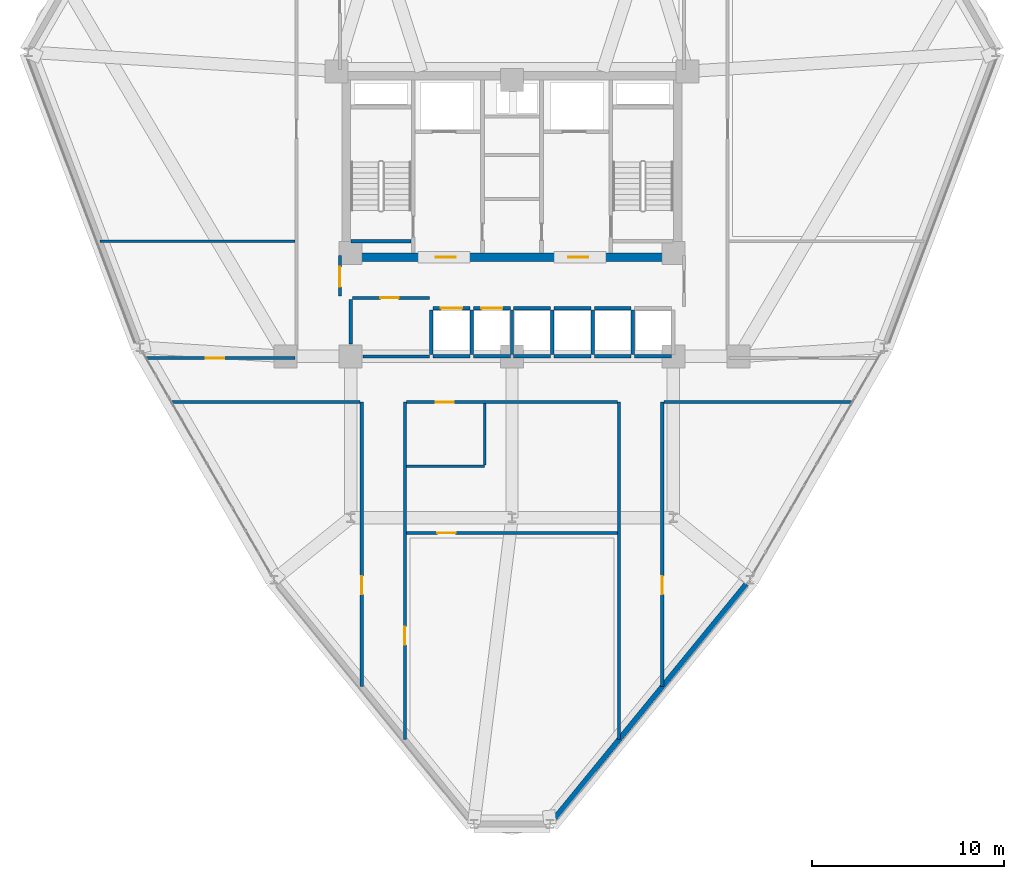
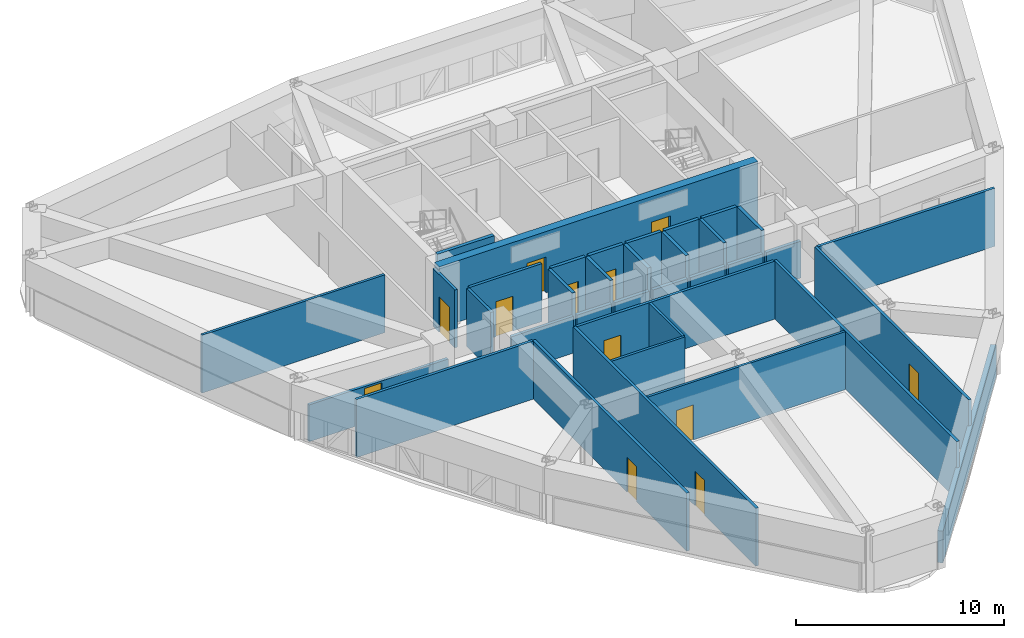
# One storey, part 10 of 15: 36 walls, 12 doors, 12 openings.
"""IFC4 building model written with IfcOpenShell, lengths in metres."""

from ifc_helpers import new_model, si_unit, derived_unit, direction, frame, frame_2d, origin, place, context, subcontext, project, spatial, rectangle, extrude, material, layer, layer_set, type_object, element, fill, save


model = new_model("IFC4")

# Units and contexts
model_context = context("Model", 3, precision=1e-05, world=origin(), true_north=direction((0.0, 1.0)))
body_context = subcontext(model_context, "Body", "Model", "MODEL_VIEW")
ifc_project = project(units=[si_unit("LENGTHUNIT", "METRE"), si_unit("AREAUNIT", "SQUARE_METRE"), si_unit("VOLUMEUNIT", "CUBIC_METRE"), si_unit("PLANEANGLEUNIT", "RADIAN"), si_unit("MASSUNIT", "GRAM", prefix="KILO"), derived_unit("THERMALTRANSMITTANCEUNIT", [(si_unit("POWERUNIT", "WATT"), 1), (si_unit("LENGTHUNIT", "METRE"), -2), (si_unit("THERMODYNAMICTEMPERATUREUNIT", "KELVIN"), -1)])], contexts=[model_context])

# Site, building, storey
site_placement = place(None, origin())
site = spatial("IfcSite", under=ifc_project, at=site_placement, CompositionType="ELEMENT")
building_placement = place(site_placement, origin())
building = spatial("IfcBuilding", under=site, at=building_placement, Name="Korsvarv Bourse and Concert Hall", CompositionType="ELEMENT")
storey_placement = place(building_placement, frame((0.0, 0.0, 117.0)))
storey = spatial("IfcBuildingStorey", under=building, at=storey_placement, Name="L29", CompositionType="ELEMENT", Elevation=117.0)

# Wall
ifc_material_1 = material(Name="Concrete C50/60", Category="concrete")
ifc_layer_1 = layer(ifc_material_1, 0.3798828125)
ifc_layer_set_1 = layer_set([ifc_layer_1], Name="Concrete C50/60")
wall_type_1 = type_object("IfcWallType", Name="WL-CORE-380", PredefinedType="SHEAR", material=ifc_layer_set_1)
wall_1_placement = place(storey_placement, frame((27.610107421875, 38.39990234375, 0.0), z_axis=(0.0, 0.0, 1.0), x_axis=(1.0, 0.0, 0.0)))
element("IfcWall", 1, at=wall_1_placement, inside=storey, type_object=wall_type_1, Name="L29 stair shaft structural wall W-L29-ST1-S", PredefinedType="SHEAR", context=body_context, shape_type="SweptSolid", body=[
    extrude(rectangle(XDim=3.139892578125, YDim=0.199951171875, at=frame_2d((1.56982421875, 0.0))), origin(), (0.0, 0.0, 1.0), 3.60009765625),
])

# Wall, openings, doors
ifc_material_2 = material(Name="Concrete C55/67", Category="concrete")
ifc_layer_2 = layer(ifc_material_2, 0.449951171875)
ifc_layer_set_2 = layer_set([ifc_layer_2], Name="Concrete C55/67")
wall_type_2 = type_object("IfcWallType", Name="WL-CORE-450", PredefinedType="SHEAR", material=ifc_layer_set_2)
wall_2_placement = place(storey_placement, frame((27.14990234375, 37.574951171875, 0.0), z_axis=(0.0, 0.0, 1.0), x_axis=(1.0, 0.0, 0.0)))
wall_2 = element("IfcWall", 2, at=wall_2_placement, inside=storey, type_object=wall_type_2, Name="L29 South Core Shear Wall", PredefinedType="SHEAR", context=body_context, shape_type="SweptSolid", body=[
    extrude(rectangle(XDim=17.7001953125, YDim=0.449951171875, at=frame_2d((8.85009765625, 0.0))), origin(), (0.0, 0.0, 1.0), 3.60009765625),
])
opening_1_placement = place(wall_2_placement, frame((4.875, 0.0, 0.0)))
opening_1 = element("IfcOpeningElement", 3, at=opening_1_placement, cuts=wall_2, Name="Opening D-01", PredefinedType="OPENING", context=body_context, shape_type="SweptSolid", body=[
    extrude(rectangle(XDim=1.050048828125, YDim=2.10009765625, at=frame_2d((0.52490234375, 1.050048828125))), frame((0.0, 0.23486328125, 0.0), z_axis=(0.0, -1.0, 0.0), x_axis=(1.0, 0.0, 0.0)), (0.0, 0.0, 1.0), 0.469970703125),
])
opening_2_placement = place(wall_2_placement, frame((11.77490234375, 0.0, 0.0)))
opening_2 = element("IfcOpeningElement", 4, at=opening_2_placement, cuts=wall_2, Name="Opening D-01", PredefinedType="OPENING", context=body_context, shape_type="SweptSolid", body=[
    extrude(rectangle(XDim=1.050048828125, YDim=2.10009765625, at=frame_2d((0.52490234375, 1.050048828125))), frame((0.0, 0.23486328125, 0.0), z_axis=(0.0, -1.0, 0.0), x_axis=(1.0, 0.0, 0.0)), (0.0, 0.0, 1.0), 0.469970703125),
])
ifc_material_3 = material(Name="Steel S355 fire door", Category="steel")
door_type_1 = type_object("IfcDoorType", Name="DR-FD60", OperationType="NOTDEFINED", PredefinedType="DOOR", material=ifc_material_3)
door_1_placement = place(opening_1_placement, frame((1.050048828125, 0.0, 0.0), z_axis=(0.0, 0.0, 1.0), x_axis=(-1.0, 0.0, 0.0)))
door_1 = element("IfcDoor", 5, at=door_1_placement, inside=storey, type_object=door_type_1, Name="L29 firefighting lobby fire door DR-L29-FFLW", OperationType="SINGLE_SWING_RIGHT", OverallHeight=2.10009765625, OverallWidth=1.050048828125, PredefinedType="DOOR", context=body_context, shape_type="SweptSolid", body=[
    extrude(rectangle(XDim=1.050048828125, YDim=2.10009765625, at=frame_2d((0.52490234375, 1.050048828125))), frame((0.0, 0.02490234375, 0.0), z_axis=(0.0, -1.0, 0.0), x_axis=(1.0, 0.0, 0.0)), (0.0, 0.0, 1.0), 0.050048828125),
])
fill(opening_1, door_1)
door_2_placement = place(opening_2_placement, frame((1.050048828125, 0.0, 0.0), z_axis=(0.0, 0.0, 1.0), x_axis=(-1.0, 0.0, 0.0)))
door_2 = element("IfcDoor", 6, at=door_2_placement, inside=storey, type_object=door_type_1, Name="L29 firefighting lobby fire door DR-L29-FFLE", OperationType="SINGLE_SWING_LEFT", OverallHeight=2.10009765625, OverallWidth=1.050048828125, PredefinedType="DOOR", context=body_context, shape_type="SweptSolid", body=[
    extrude(rectangle(XDim=1.050048828125, YDim=2.10009765625, at=frame_2d((0.52490234375, 1.050048828125))), frame((0.0, 0.02490234375, 0.0), z_axis=(0.0, -1.0, 0.0), x_axis=(1.0, 0.0, 0.0)), (0.0, 0.0, 1.0), 0.050048828125),
])
fill(opening_2, door_2)

# Walls
ifc_material_4 = material(Name="Precast concrete C45/55 with fluted terracotta pier", Category="concrete")
ifc_layer_3 = layer(ifc_material_4, 0.280029296875)
ifc_layer_set_3 = layer_set([ifc_layer_3], Name="Precast concrete C45/55 with fluted terracotta pier")
wall_type_3 = type_object("IfcWallType", Name="WL-EXT-TC2", PredefinedType="SOLIDWALL", material=ifc_layer_set_3)
wall_3_placement = place(storey_placement, frame((38.177490234375, 8.287353515625, 0.0), z_axis=(0.0, 0.0, 1.0), x_axis=(0.633140387555, 0.774036982092, 0.0)))
element("IfcWall", 7, at=wall_3_placement, inside=storey, type_object=wall_type_3, Name="L29 terracotta exterior wall EW-L29-B10", PredefinedType="SOLIDWALL", context=body_context, shape_type="SweptSolid", body=[
    extrude(rectangle(XDim=15.833984375, YDim=0.280029296875, at=frame_2d((7.9169921875, 0.0))), origin(), (0.0, 0.0, 1.0), 1.8701171875),
])
ifc_material_5 = material(Name="Double-stud fire-rated acoustic partition", Category="gypsum")
ifc_layer_4 = layer(ifc_material_5, 0.159912109375)
ifc_layer_set_4 = layer_set([ifc_layer_4], Name="Double-stud fire-rated acoustic partition")
wall_type_4 = type_object("IfcWallType", Name="WL-INT-EI60", PredefinedType="PARTITIONING", material=ifc_layer_set_4)
wall_4_placement = place(storey_placement, frame((28.25, 32.39990234375, 0.0), z_axis=(0.0, 0.0, 1.0), x_axis=(1.0, 0.0, 0.0)))
element("IfcWall", 8, at=wall_4_placement, inside=storey, type_object=wall_type_4, Name="L29 interior partition wall W-L29-FRD-S", PredefinedType="PARTITIONING", context=body_context, shape_type="SweptSolid", body=[
    extrude(rectangle(XDim=3.449951171875, YDim=0.159912109375, at=frame_2d((1.72509765625, 0.0))), origin(), (0.0, 0.0, 1.0), 2.159912109375),
])
wall_5_placement = place(storey_placement, frame((27.60009765625, 33.050048828125, 0.0), z_axis=(0.0, 0.0, 1.0), x_axis=(0.0, 1.0, 0.0)))
element("IfcWall", 9, at=wall_5_placement, inside=storey, type_object=wall_type_4, Name="L29 interior partition wall W-L29-FRD-W", PredefinedType="PARTITIONING", context=body_context, shape_type="SweptSolid", body=[
    extrude(rectangle(XDim=2.31005859375, YDim=0.159912109375, at=frame_2d((1.155029296875, 0.0))), origin(), (0.0, 0.0, 1.0), 3.39990234375),
])

# Wall, opening, door
wall_6_placement = place(storey_placement, frame((27.68994140625, 35.449951171875, 0.0), z_axis=(0.0, 0.0, 1.0), x_axis=(1.0, 0.0, 0.0)))
wall_6 = element("IfcWall", 10, at=wall_6_placement, inside=storey, type_object=wall_type_4, Name="L29 interior partition wall W-L29-FRD-N", PredefinedType="PARTITIONING", context=body_context, shape_type="SweptSolid", body=[
    extrude(rectangle(XDim=4.010009765625, YDim=0.159912109375, at=frame_2d((2.0048828125, 0.0))), origin(), (0.0, 0.0, 1.0), 3.39990234375),
])
opening_3_placement = place(wall_6_placement, frame((1.449951171875, 0.0, 0.0)))
opening_3 = element("IfcOpeningElement", 11, at=opening_3_placement, cuts=wall_6, Name="Opening D-03", PredefinedType="OPENING", context=body_context, shape_type="SweptSolid", body=[
    extrude(rectangle(XDim=0.949951171875, YDim=2.050048828125, at=frame_2d((0.47509765625, 1.02490234375))), frame((0.0, 0.08984375, 0.0), z_axis=(0.0, -1.0, 0.0), x_axis=(1.0, 0.0, 0.0)), (0.0, 0.0, 1.0), 0.179931640625),
])
ifc_material_6 = material(Name="Nordic oak acoustic office door", Category="wood")
door_type_2 = type_object("IfcDoorType", Name="DR-INT-1", OperationType="NOTDEFINED", PredefinedType="DOOR", material=ifc_material_6)
door_3_placement = place(opening_3_placement, origin())
door_3 = element("IfcDoor", 12, at=door_3_placement, inside=storey, type_object=door_type_2, Name="L29 interior door DR-L29-FRDN1", OperationType="SINGLE_SWING_LEFT", OverallHeight=2.050048828125, OverallWidth=0.949951171875, PredefinedType="DOOR", context=body_context, shape_type="SweptSolid", body=[
    extrude(rectangle(XDim=0.949951171875, YDim=2.050048828125, at=frame_2d((0.47509765625, 1.02490234375))), frame((0.0, 0.02490234375, 0.0), z_axis=(0.0, -1.0, 0.0), x_axis=(1.0, 0.0, 0.0)), (0.0, 0.0, 1.0), 0.050048828125),
])
fill(opening_3, door_3)

wall_7_placement = place(storey_placement, frame((27.0400390625, 35.5400390625, 0.0), z_axis=(0.0, 0.0, 1.0), x_axis=(0.0, 1.0, 0.0)))
wall_7 = element("IfcWall", 13, at=wall_7_placement, inside=storey, type_object=wall_type_4, Name="L29 interior partition wall W-L29-LOB-WL", PredefinedType="PARTITIONING", context=body_context, shape_type="SweptSolid", body=[
    extrude(rectangle(XDim=2.10986328125, YDim=0.159912109375, at=frame_2d((1.054931640625, 0.0))), origin(), (0.0, 0.0, 1.0), 3.39990234375),
])
opening_4_placement = place(wall_7_placement, frame((0.47998046875, 0.0, 0.0)))
opening_4 = element("IfcOpeningElement", 14, at=opening_4_placement, cuts=wall_7, Name="Opening D-01", PredefinedType="OPENING", context=body_context, shape_type="SweptSolid", body=[
    extrude(rectangle(XDim=1.050048828125, YDim=2.10009765625, at=frame_2d((0.52490234375, 1.050048828125))), frame((0.0, 0.08984375, 0.0), z_axis=(0.0, -1.0, 0.0), x_axis=(1.0, 0.0, 0.0)), (0.0, 0.0, 1.0), 0.179931640625),
])
door_4_placement = place(opening_4_placement, frame((1.050048828125, 0.0, 0.0), z_axis=(0.0, 0.0, 1.0), x_axis=(-1.0, 0.0, 0.0)))
door_4 = element("IfcDoor", 15, at=door_4_placement, inside=storey, type_object=door_type_1, Name="L29 interior door DR-L29-LOBW", OperationType="SINGLE_SWING_RIGHT", OverallHeight=2.10009765625, OverallWidth=1.050048828125, PredefinedType="DOOR", context=body_context, shape_type="SweptSolid", body=[
    extrude(rectangle(XDim=1.050048828125, YDim=2.10009765625, at=frame_2d((0.52490234375, 1.050048828125))), frame((0.0, 0.02490234375, 0.0), z_axis=(0.0, -1.0, 0.0), x_axis=(1.0, 0.0, 0.0)), (0.0, 0.0, 1.0), 0.050048828125),
])
fill(opening_4, door_4)

wall_8_placement = place(storey_placement, frame((30.425048828125, 12.4609375, 0.0), z_axis=(0.0, 0.0, 1.0), x_axis=(0.0, 1.0, 0.0)))
wall_8 = element("IfcWall", 16, at=wall_8_placement, inside=storey, type_object=wall_type_4, Name="L29 interior partition wall W-L29-TCOR-03", PredefinedType="PARTITIONING", context=body_context, shape_type="SweptSolid", body=[
    extrude(rectangle(XDim=17.569091796875, YDim=0.159912109375, at=frame_2d((8.78466796875, 0.0))), origin(), (0.0, 0.0, 1.0), 3.39990234375),
])
opening_5_placement = place(wall_8_placement, frame((4.915771484375, 0.0, 0.0)))
opening_5 = element("IfcOpeningElement", 17, at=opening_5_placement, cuts=wall_8, Name="Opening D-02", PredefinedType="OPENING", context=body_context, shape_type="SweptSolid", body=[
    extrude(rectangle(XDim=0.949951171875, YDim=2.050048828125, at=frame_2d((0.47509765625, 1.02490234375))), frame((0.0, 0.08984375, 0.0), z_axis=(0.0, -1.0, 0.0), x_axis=(1.0, 0.0, 0.0)), (0.0, 0.0, 1.0), 0.179931640625),
])
ifc_material_7 = material(Name="Timber and steel acoustic fire door", Category="wood")
door_type_3 = type_object("IfcDoorType", Name="DR-FD30", OperationType="NOTDEFINED", PredefinedType="DOOR", material=ifc_material_7)
door_5_placement = place(opening_5_placement, origin())
door_5 = element("IfcDoor", 18, at=door_5_placement, inside=storey, type_object=door_type_3, Name="L29 interior door DR-L29-TCOR-CL25", OperationType="SINGLE_SWING_RIGHT", OverallHeight=2.050048828125, OverallWidth=0.949951171875, PredefinedType="DOOR", context=body_context, shape_type="SweptSolid", body=[
    extrude(rectangle(XDim=0.949951171875, YDim=2.050048828125, at=frame_2d((0.47509765625, 1.02490234375))), frame((0.0, 0.02490234375, 0.0), z_axis=(0.0, -1.0, 0.0), x_axis=(1.0, 0.0, 0.0)), (0.0, 0.0, 1.0), 0.050048828125),
])
fill(opening_5, door_5)

# Wall
wall_9_placement = place(storey_placement, frame((41.574951171875, 12.4609375, 0.0), z_axis=(0.0, 0.0, 1.0), x_axis=(0.0, 1.0, 0.0)))
element("IfcWall", 19, at=wall_9_placement, inside=storey, type_object=wall_type_4, Name="L29 interior partition wall W-L29-TCOR-04", PredefinedType="PARTITIONING", context=body_context, shape_type="SweptSolid", body=[
    extrude(rectangle(XDim=17.569091796875, YDim=0.159912109375, at=frame_2d((8.78466796875, 0.0))), origin(), (0.0, 0.0, 1.0), 3.39990234375),
])

# Wall, opening, door
wall_10_placement = place(storey_placement, frame((28.175048828125, 15.211669921875, 0.0), z_axis=(0.0, 0.0, 1.0), x_axis=(0.0, 1.0, 0.0)))
wall_10 = element("IfcWall", 20, at=wall_10_placement, inside=storey, type_object=wall_type_4, Name="L29 interior partition wall W-L29-TCOR-05", PredefinedType="PARTITIONING", context=body_context, shape_type="SweptSolid", body=[
    extrude(rectangle(XDim=14.818359375, YDim=0.159912109375, at=frame_2d((7.4091796875, 0.0))), origin(), (0.0, 0.0, 1.0), 3.39990234375),
])
opening_6_placement = place(wall_10_placement, frame((4.800537109375, 0.0, 0.0)))
opening_6 = element("IfcOpeningElement", 21, at=opening_6_placement, cuts=wall_10, Name="Opening D-02", PredefinedType="OPENING", context=body_context, shape_type="SweptSolid", body=[
    extrude(rectangle(XDim=0.949951171875, YDim=2.050048828125, at=frame_2d((0.47509765625, 1.02490234375))), frame((0.0, 0.08984375, 0.0), z_axis=(0.0, -1.0, 0.0), x_axis=(1.0, 0.0, 0.0)), (0.0, 0.0, 1.0), 0.179931640625),
])
door_6_placement = place(opening_6_placement, origin())
door_6 = element("IfcDoor", 22, at=door_6_placement, inside=storey, type_object=door_type_3, Name="L29 interior door DR-L29-TCOR-GYM7", OperationType="SINGLE_SWING_LEFT", OverallHeight=2.050048828125, OverallWidth=0.949951171875, PredefinedType="DOOR", context=body_context, shape_type="SweptSolid", body=[
    extrude(rectangle(XDim=0.949951171875, YDim=2.050048828125, at=frame_2d((0.47509765625, 1.02490234375))), frame((0.0, 0.02490234375, 0.0), z_axis=(0.0, -1.0, 0.0), x_axis=(1.0, 0.0, 0.0)), (0.0, 0.0, 1.0), 0.050048828125),
])
fill(opening_6, door_6)

wall_11_placement = place(storey_placement, frame((43.824951171875, 15.211669921875, 0.0), z_axis=(0.0, 0.0, 1.0), x_axis=(0.0, 1.0, 0.0)))
wall_11 = element("IfcWall", 23, at=wall_11_placement, inside=storey, type_object=wall_type_4, Name="L29 interior partition wall W-L29-TCOR-06", PredefinedType="PARTITIONING", context=body_context, shape_type="SweptSolid", body=[
    extrude(rectangle(XDim=14.818359375, YDim=0.159912109375, at=frame_2d((7.4091796875, 0.0))), origin(), (0.0, 0.0, 1.0), 3.39990234375),
])
opening_7_placement = place(wall_11_placement, frame((4.800537109375, 0.0, 0.0)))
opening_7 = element("IfcOpeningElement", 24, at=opening_7_placement, cuts=wall_11, Name="Opening D-02", PredefinedType="OPENING", context=body_context, shape_type="SweptSolid", body=[
    extrude(rectangle(XDim=0.949951171875, YDim=2.050048828125, at=frame_2d((0.47509765625, 1.02490234375))), frame((0.0, 0.08984375, 0.0), z_axis=(0.0, -1.0, 0.0), x_axis=(1.0, 0.0, 0.0)), (0.0, 0.0, 1.0), 0.179931640625),
])
door_7_placement = place(opening_7_placement, origin())
door_7 = element("IfcDoor", 25, at=door_7_placement, inside=storey, type_object=door_type_3, Name="L29 interior door DR-L29-TCOR-SPA3", OperationType="SINGLE_SWING_RIGHT", OverallHeight=2.050048828125, OverallWidth=0.949951171875, PredefinedType="DOOR", context=body_context, shape_type="SweptSolid", body=[
    extrude(rectangle(XDim=0.949951171875, YDim=2.050048828125, at=frame_2d((0.47509765625, 1.02490234375))), frame((0.0, 0.02490234375, 0.0), z_axis=(0.0, -1.0, 0.0), x_axis=(1.0, 0.0, 0.0)), (0.0, 0.0, 1.0), 0.050048828125),
])
fill(opening_7, door_7)

wall_12_placement = place(storey_placement, frame((30.507080078125, 30.02490234375, 0.0), z_axis=(0.0, 0.0, 1.0), x_axis=(1.0, 0.0, 0.0)))
wall_12 = element("IfcWall", 26, at=wall_12_placement, inside=storey, type_object=wall_type_4, Name="L29 interior partition wall W-L29-TCOR-07", PredefinedType="PARTITIONING", context=body_context, shape_type="SweptSolid", body=[
    extrude(rectangle(XDim=10.98583984375, YDim=0.159912109375, at=frame_2d((5.492919921875, 0.0))), origin(), (0.0, 0.0, 1.0), 3.39990234375),
])
opening_8_placement = place(wall_12_placement, frame((1.51220703125, 0.0, 0.0)))
opening_8 = element("IfcOpeningElement", 27, at=opening_8_placement, cuts=wall_12, Name="Opening D-02", PredefinedType="OPENING", context=body_context, shape_type="SweptSolid", body=[
    extrude(rectangle(XDim=0.949951171875, YDim=2.050048828125, at=frame_2d((0.47509765625, 1.02490234375))), frame((0.0, 0.08984375, 0.0), z_axis=(0.0, -1.0, 0.0), x_axis=(1.0, 0.0, 0.0)), (0.0, 0.0, 1.0), 0.179931640625),
])
door_8_placement = place(opening_8_placement, origin())
door_8 = element("IfcDoor", 28, at=door_8_placement, inside=storey, type_object=door_type_3, Name="L29 interior door DR-L29-TCOR-RWC", OperationType="SINGLE_SWING_LEFT", OverallHeight=2.050048828125, OverallWidth=0.949951171875, PredefinedType="DOOR", context=body_context, shape_type="SweptSolid", body=[
    extrude(rectangle(XDim=0.949951171875, YDim=2.050048828125, at=frame_2d((0.47509765625, 1.02490234375))), frame((0.0, 0.02490234375, 0.0), z_axis=(0.0, -1.0, 0.0), x_axis=(1.0, 0.0, 0.0)), (0.0, 0.0, 1.0), 0.050048828125),
])
fill(opening_8, door_8)

# Walls
for number, where, z_axis, x_axis, name in (
    (29, (18.287109375, 30.02490234375, 0.0), (0.0, 0.0, 1.0), (1.0, 0.0, 0.0), "L29 interior partition wall W-L29-TCOR-08"),
    (30, (43.906982421875, 30.02490234375, 0.0), (0.0, 0.0, 1.0), (1.0, 0.0, 0.0), "L29 interior partition wall W-L29-TCOR-09"),
):
    element("IfcWall", number, at=place(storey_placement, frame(where, z_axis=z_axis, x_axis=x_axis)), inside=storey, type_object=wall_type_4, Name=name, PredefinedType="PARTITIONING", context=body_context, shape_type="SweptSolid", body=[
        extrude(rectangle(XDim=9.805908203125, YDim=0.159912109375, at=frame_2d((4.90283203125, 0.0))), origin(), (0.0, 0.0, 1.0), 3.39990234375),
    ])

# Wall, opening, door
wall_13_placement = place(storey_placement, frame((16.965087890625, 32.31494140625, 0.0), z_axis=(0.0, 0.0, 1.0), x_axis=(1.0, 0.0, 0.0)))
wall_13 = element("IfcWall", 31, at=wall_13_placement, inside=storey, type_object=wall_type_4, Name="L29 interior partition wall W-L29-TCOR-10", PredefinedType="PARTITIONING", context=body_context, shape_type="SweptSolid", body=[
    extrude(rectangle(XDim=7.72802734375, YDim=0.159912109375, at=frame_2d((3.864013671875, 0.0))), origin(), (0.0, 0.0, 1.0), 2.159912109375),
])
opening_9_placement = place(wall_13_placement, frame((3.0869140625, 0.0, 0.0)))
opening_9 = element("IfcOpeningElement", 32, at=opening_9_placement, cuts=wall_13, Name="Opening D-02", PredefinedType="OPENING", context=body_context, shape_type="SweptSolid", body=[
    extrude(rectangle(XDim=0.949951171875, YDim=2.050048828125, at=frame_2d((0.47509765625, 1.02490234375))), frame((0.0, 0.08984375, 0.0), z_axis=(0.0, -1.0, 0.0), x_axis=(1.0, 0.0, 0.0)), (0.0, 0.0, 1.0), 0.179931640625),
])
door_9_placement = place(opening_9_placement, origin())
door_9 = element("IfcDoor", 33, at=door_9_placement, inside=storey, type_object=door_type_3, Name="L29 interior door DR-L29-TCOR-YOG8", OperationType="SINGLE_SWING_RIGHT", OverallHeight=2.050048828125, OverallWidth=0.949951171875, PredefinedType="DOOR", context=body_context, shape_type="SweptSolid", body=[
    extrude(rectangle(XDim=0.949951171875, YDim=2.050048828125, at=frame_2d((0.47509765625, 1.02490234375))), frame((0.0, 0.02490234375, 0.0), z_axis=(0.0, -1.0, 0.0), x_axis=(1.0, 0.0, 0.0)), (0.0, 0.0, 1.0), 0.050048828125),
])
fill(opening_9, door_9)

ifc_material_8 = material(Name="Gypsum-clad autoclaved concrete shaft wall C30/37", Category="concrete")
ifc_layer_5 = layer(ifc_material_8, 0.179931640625)
ifc_layer_set_5 = layer_set([ifc_layer_5], Name="Gypsum-clad autoclaved concrete shaft wall C30/37")
wall_type_5 = type_object("IfcWallType", Name="WL-INT-EI90", PredefinedType="PARTITIONING", material=ifc_layer_set_5)
wall_14_placement = place(storey_placement, frame((31.889892578125, 34.89990234375, 0.0), z_axis=(0.0, 0.0, 1.0), x_axis=(1.0, 0.0, 0.0)))
wall_14 = element("IfcWall", 34, at=wall_14_placement, inside=storey, type_object=wall_type_5, Name="L29 interior partition wall W-L29-SHFN-PM1", PredefinedType="PARTITIONING", context=body_context, shape_type="SweptSolid", body=[
    extrude(rectangle(XDim=1.920166015625, YDim=0.179931640625, at=frame_2d((0.9599609375, 0.0))), origin(), (0.0, 0.0, 1.0), 3.39990234375),
])
opening_10_placement = place(wall_14_placement, frame((0.409912109375, 0.0, 0.0)))
opening_10 = element("IfcOpeningElement", 35, at=opening_10_placement, cuts=wall_14, Name="Opening LD-2", PredefinedType="OPENING", context=body_context, shape_type="SweptSolid", body=[
    extrude(rectangle(XDim=1.10009765625, YDim=2.10009765625, at=frame_2d((0.550048828125, 1.050048828125))), frame((0.0, 0.10009765625, 0.0), z_axis=(0.0, -1.0, 0.0), x_axis=(1.0, 0.0, 0.0)), (0.0, 0.0, 1.0), 0.199951171875),
])
ifc_material_9 = material(Name="Brushed stainless Steel S355 lift landing door", Category="steel")
door_type_4 = type_object("IfcDoorType", Name="DR-LIFT-P", OperationType="DOUBLE_DOOR_SLIDING", PredefinedType="DOOR", material=ifc_material_9)
door_10_placement = place(opening_10_placement, origin())
door_10 = element("IfcDoor", 36, at=door_10_placement, inside=storey, type_object=door_type_4, Name="L29 lift sliding landing door LD-L29-PM1", OperationType="DOUBLE_DOOR_SLIDING", OverallHeight=2.10009765625, OverallWidth=1.10009765625, PredefinedType="DOOR", context=body_context, shape_type="SweptSolid", body=[
    extrude(rectangle(XDim=1.10009765625, YDim=2.10009765625, at=frame_2d((0.550048828125, 1.050048828125))), frame((0.0, 0.02490234375, 0.0), z_axis=(0.0, -1.0, 0.0), x_axis=(1.0, 0.0, 0.0)), (0.0, 0.0, 1.0), 0.050048828125),
])
fill(opening_10, door_10)

# Walls
wall_15_placement = place(storey_placement, frame((31.889892578125, 32.39990234375, 0.0), z_axis=(0.0, 0.0, 1.0), x_axis=(1.0, 0.0, 0.0)))
element("IfcWall", 37, at=wall_15_placement, inside=storey, type_object=wall_type_5, Name="L29 interior partition wall W-L29-SHFS-PM1", PredefinedType="PARTITIONING", context=body_context, shape_type="SweptSolid", body=[
    extrude(rectangle(XDim=1.920166015625, YDim=0.179931640625, at=frame_2d((0.9599609375, 0.0))), origin(), (0.0, 0.0, 1.0), 2.159912109375),
])
wall_16_placement = place(storey_placement, frame((31.800048828125, 32.489990234375, 0.0), z_axis=(0.0, 0.0, 1.0), x_axis=(0.0, 1.0, 0.0)))
element("IfcWall", 38, at=wall_16_placement, inside=storey, type_object=wall_type_5, Name="L29 interior partition wall W-L29-SHFW-PM1", PredefinedType="PARTITIONING", context=body_context, shape_type="SweptSolid", body=[
    extrude(rectangle(XDim=2.320068359375, YDim=0.179931640625, at=frame_2d((1.16015625, 0.0))), origin(), (0.0, 0.0, 1.0), 3.39990234375),
])

# Wall, opening, door
wall_17_placement = place(storey_placement, frame((33.989990234375, 34.89990234375, 0.0), z_axis=(0.0, 0.0, 1.0), x_axis=(1.0, 0.0, 0.0)))
wall_17 = element("IfcWall", 39, at=wall_17_placement, inside=storey, type_object=wall_type_5, Name="L29 interior partition wall W-L29-SHFN-PM2", PredefinedType="PARTITIONING", context=body_context, shape_type="SweptSolid", body=[
    extrude(rectangle(XDim=1.919921875, YDim=0.179931640625, at=frame_2d((0.9599609375, 0.0))), origin(), (0.0, 0.0, 1.0), 3.39990234375),
])
opening_11_placement = place(wall_17_placement, frame((0.409912109375, 0.0, 0.0)))
opening_11 = element("IfcOpeningElement", 40, at=opening_11_placement, cuts=wall_17, Name="Opening LD-2", PredefinedType="OPENING", context=body_context, shape_type="SweptSolid", body=[
    extrude(rectangle(XDim=1.10009765625, YDim=2.10009765625, at=frame_2d((0.550048828125, 1.050048828125))), frame((0.0, 0.10009765625, 0.0), z_axis=(0.0, -1.0, 0.0), x_axis=(1.0, 0.0, 0.0)), (0.0, 0.0, 1.0), 0.199951171875),
])
door_11_placement = place(opening_11_placement, origin())
door_11 = element("IfcDoor", 41, at=door_11_placement, inside=storey, type_object=door_type_4, Name="L29 lift sliding landing door LD-L29-PM2", OperationType="DOUBLE_DOOR_SLIDING", OverallHeight=2.10009765625, OverallWidth=1.10009765625, PredefinedType="DOOR", context=body_context, shape_type="SweptSolid", body=[
    extrude(rectangle(XDim=1.10009765625, YDim=2.10009765625, at=frame_2d((0.550048828125, 1.050048828125))), frame((0.0, 0.02490234375, 0.0), z_axis=(0.0, -1.0, 0.0), x_axis=(1.0, 0.0, 0.0)), (0.0, 0.0, 1.0), 0.050048828125),
])
fill(opening_11, door_11)

# Walls
wall_18_placement = place(storey_placement, frame((33.989990234375, 32.39990234375, 0.0), z_axis=(0.0, 0.0, 1.0), x_axis=(1.0, 0.0, 0.0)))
element("IfcWall", 42, at=wall_18_placement, inside=storey, type_object=wall_type_5, Name="L29 interior partition wall W-L29-SHFS-PM2", PredefinedType="PARTITIONING", context=body_context, shape_type="SweptSolid", body=[
    extrude(rectangle(XDim=1.919921875, YDim=0.179931640625, at=frame_2d((0.9599609375, 0.0))), origin(), (0.0, 0.0, 1.0), 2.159912109375),
])
wall_19_placement = place(storey_placement, frame((33.89990234375, 32.489990234375, 0.0), z_axis=(0.0, 0.0, 1.0), x_axis=(0.0, 1.0, 0.0)))
element("IfcWall", 43, at=wall_19_placement, inside=storey, type_object=wall_type_5, Name="L29 interior partition wall W-L29-SHFW-PM2", PredefinedType="PARTITIONING", context=body_context, shape_type="SweptSolid", body=[
    extrude(rectangle(XDim=2.320068359375, YDim=0.179931640625, at=frame_2d((1.16015625, 0.0))), origin(), (0.0, 0.0, 1.0), 3.39990234375),
])
wall_20_placement = place(storey_placement, frame((36.090087890625, 34.89990234375, 0.0), z_axis=(0.0, 0.0, 1.0), x_axis=(1.0, 0.0, 0.0)))
element("IfcWall", 44, at=wall_20_placement, inside=storey, type_object=wall_type_5, Name="L29 interior partition wall W-L29-SHFN-PH1", PredefinedType="PARTITIONING", context=body_context, shape_type="SweptSolid", body=[
    extrude(rectangle(XDim=1.919921875, YDim=0.179931640625, at=frame_2d((0.9599609375, 0.0))), origin(), (0.0, 0.0, 1.0), 3.39990234375),
])
wall_21_placement = place(storey_placement, frame((36.090087890625, 32.39990234375, 0.0), z_axis=(0.0, 0.0, 1.0), x_axis=(1.0, 0.0, 0.0)))
element("IfcWall", 45, at=wall_21_placement, inside=storey, type_object=wall_type_5, Name="L29 interior partition wall W-L29-SHFS-PH1", PredefinedType="PARTITIONING", context=body_context, shape_type="SweptSolid", body=[
    extrude(rectangle(XDim=1.919921875, YDim=0.179931640625, at=frame_2d((0.9599609375, 0.0))), origin(), (0.0, 0.0, 1.0), 2.159912109375),
])
wall_22_placement = place(storey_placement, frame((36.0, 32.489990234375, 0.0), z_axis=(0.0, 0.0, 1.0), x_axis=(0.0, 1.0, 0.0)))
element("IfcWall", 46, at=wall_22_placement, inside=storey, type_object=wall_type_5, Name="L29 interior partition wall W-L29-SHFW-PH1", PredefinedType="PARTITIONING", context=body_context, shape_type="SweptSolid", body=[
    extrude(rectangle(XDim=2.320068359375, YDim=0.179931640625, at=frame_2d((1.16015625, 0.0))), origin(), (0.0, 0.0, 1.0), 3.39990234375),
])
wall_23_placement = place(storey_placement, frame((38.18994140625, 34.89990234375, 0.0), z_axis=(0.0, 0.0, 1.0), x_axis=(1.0, 0.0, 0.0)))
element("IfcWall", 47, at=wall_23_placement, inside=storey, type_object=wall_type_5, Name="L29 interior partition wall W-L29-SHFN-PH2", PredefinedType="PARTITIONING", context=body_context, shape_type="SweptSolid", body=[
    extrude(rectangle(XDim=1.920166015625, YDim=0.179931640625, at=frame_2d((0.9599609375, 0.0))), origin(), (0.0, 0.0, 1.0), 3.39990234375),
])
wall_24_placement = place(storey_placement, frame((38.18994140625, 32.39990234375, 0.0), z_axis=(0.0, 0.0, 1.0), x_axis=(1.0, 0.0, 0.0)))
element("IfcWall", 48, at=wall_24_placement, inside=storey, type_object=wall_type_5, Name="L29 interior partition wall W-L29-SHFS-PH2", PredefinedType="PARTITIONING", context=body_context, shape_type="SweptSolid", body=[
    extrude(rectangle(XDim=1.920166015625, YDim=0.179931640625, at=frame_2d((0.9599609375, 0.0))), origin(), (0.0, 0.0, 1.0), 2.159912109375),
])
wall_25_placement = place(storey_placement, frame((38.10009765625, 32.489990234375, 0.0), z_axis=(0.0, 0.0, 1.0), x_axis=(0.0, 1.0, 0.0)))
element("IfcWall", 49, at=wall_25_placement, inside=storey, type_object=wall_type_5, Name="L29 interior partition wall W-L29-SHFW-PH2", PredefinedType="PARTITIONING", context=body_context, shape_type="SweptSolid", body=[
    extrude(rectangle(XDim=2.320068359375, YDim=0.179931640625, at=frame_2d((1.16015625, 0.0))), origin(), (0.0, 0.0, 1.0), 3.39990234375),
])
wall_26_placement = place(storey_placement, frame((40.2900390625, 34.89990234375, 0.0), z_axis=(0.0, 0.0, 1.0), x_axis=(1.0, 0.0, 0.0)))
element("IfcWall", 50, at=wall_26_placement, inside=storey, type_object=wall_type_5, Name="L29 interior partition wall W-L29-SHFN-PO1", PredefinedType="PARTITIONING", context=body_context, shape_type="SweptSolid", body=[
    extrude(rectangle(XDim=1.919921875, YDim=0.179931640625, at=frame_2d((0.9599609375, 0.0))), origin(), (0.0, 0.0, 1.0), 3.39990234375),
])
wall_27_placement = place(storey_placement, frame((40.2900390625, 32.39990234375, 0.0), z_axis=(0.0, 0.0, 1.0), x_axis=(1.0, 0.0, 0.0)))
element("IfcWall", 51, at=wall_27_placement, inside=storey, type_object=wall_type_5, Name="L29 interior partition wall W-L29-SHFS-PO1", PredefinedType="PARTITIONING", context=body_context, shape_type="SweptSolid", body=[
    extrude(rectangle(XDim=1.919921875, YDim=0.179931640625, at=frame_2d((0.9599609375, 0.0))), origin(), (0.0, 0.0, 1.0), 2.159912109375),
])
wall_28_placement = place(storey_placement, frame((40.199951171875, 32.489990234375, 0.0), z_axis=(0.0, 0.0, 1.0), x_axis=(0.0, 1.0, 0.0)))
element("IfcWall", 52, at=wall_28_placement, inside=storey, type_object=wall_type_5, Name="L29 interior partition wall W-L29-SHFW-PO1", PredefinedType="PARTITIONING", context=body_context, shape_type="SweptSolid", body=[
    extrude(rectangle(XDim=2.320068359375, YDim=0.179931640625, at=frame_2d((1.16015625, 0.0))), origin(), (0.0, 0.0, 1.0), 3.39990234375),
])
wall_29_placement = place(storey_placement, frame((42.389892578125, 32.39990234375, 0.0), z_axis=(0.0, 0.0, 1.0), x_axis=(1.0, 0.0, 0.0)))
element("IfcWall", 53, at=wall_29_placement, inside=storey, type_object=wall_type_5, Name="L29 interior partition wall W-L29-SHFS-PO2", PredefinedType="PARTITIONING", context=body_context, shape_type="SweptSolid", body=[
    extrude(rectangle(XDim=1.920166015625, YDim=0.179931640625, at=frame_2d((0.9599609375, 0.0))), origin(), (0.0, 0.0, 1.0), 2.159912109375),
])
wall_30_placement = place(storey_placement, frame((42.300048828125, 32.489990234375, 0.0), z_axis=(0.0, 0.0, 1.0), x_axis=(0.0, 1.0, 0.0)))
element("IfcWall", 54, at=wall_30_placement, inside=storey, type_object=wall_type_5, Name="L29 interior partition wall W-L29-SHFW-PO2", PredefinedType="PARTITIONING", context=body_context, shape_type="SweptSolid", body=[
    extrude(rectangle(XDim=2.320068359375, YDim=0.179931640625, at=frame_2d((1.16015625, 0.0))), origin(), (0.0, 0.0, 1.0), 3.39990234375),
])

# Wall, opening, door
ifc_material_10 = material(Name="Insulated steel-stud office acoustic partition", Category="gypsum")
ifc_layer_6 = layer(ifc_material_10, 0.139892578125)
ifc_layer_set_6 = layer_set([ifc_layer_6], Name="Insulated steel-stud office acoustic partition")
wall_type_6 = type_object("IfcWallType", Name="WL-INT-P1", PredefinedType="PARTITIONING", material=ifc_layer_set_6)
wall_31_placement = place(storey_placement, frame((30.507080078125, 23.205078125, 0.0), z_axis=(0.0, 0.0, 1.0), x_axis=(1.0, 0.0, 0.0)))
wall_31 = element("IfcWall", 55, at=wall_31_placement, inside=storey, type_object=wall_type_6, Name="L29 interior partition wall W-L29-TCOR-14", PredefinedType="PARTITIONING", context=body_context, shape_type="SweptSolid", body=[
    extrude(rectangle(XDim=10.98583984375, YDim=0.139892578125, at=frame_2d((5.492919921875, 0.0))), origin(), (0.0, 0.0, 1.0), 3.39990234375),
])
opening_12_placement = place(wall_31_placement, frame((1.601318359375, 0.0, 0.0)))
opening_12 = element("IfcOpeningElement", 56, at=opening_12_placement, cuts=wall_31, Name="Opening D-03", PredefinedType="OPENING", context=body_context, shape_type="SweptSolid", body=[
    extrude(rectangle(XDim=0.949951171875, YDim=2.050048828125, at=frame_2d((0.47509765625, 1.02490234375))), frame((0.0, 0.080078125, 0.0), z_axis=(0.0, -1.0, 0.0), x_axis=(1.0, 0.0, 0.0)), (0.0, 0.0, 1.0), 0.159912109375),
])
door_12_placement = place(opening_12_placement, origin())
door_12 = element("IfcDoor", 57, at=door_12_placement, inside=storey, type_object=door_type_2, Name="L29 interior door DR-L29-TCOR-CL16", OperationType="SINGLE_SWING_LEFT", OverallHeight=2.050048828125, OverallWidth=0.949951171875, PredefinedType="DOOR", context=body_context, shape_type="SweptSolid", body=[
    extrude(rectangle(XDim=0.949951171875, YDim=2.050048828125, at=frame_2d((0.47509765625, 1.02490234375))), frame((0.0, 0.02490234375, 0.0), z_axis=(0.0, -1.0, 0.0), x_axis=(1.0, 0.0, 0.0)), (0.0, 0.0, 1.0), 0.050048828125),
])
fill(opening_12, door_12)

# Walls
wall_32_placement = place(storey_placement, frame((14.54931640625, 38.405029296875, 0.0), z_axis=(0.0, 0.0, 1.0), x_axis=(1.0, 0.0, 0.0)))
element("IfcWall", 58, at=wall_32_placement, inside=storey, type_object=wall_type_6, Name="L29 interior partition wall W-L29-TCOR-15", PredefinedType="PARTITIONING", context=body_context, shape_type="SweptSolid", body=[
    extrude(rectangle(XDim=10.143798828125, YDim=0.139892578125, at=frame_2d((5.07177734375, 0.0))), origin(), (0.0, 0.0, 1.0), 3.39990234375),
])
wall_33_placement = place(storey_placement, frame((30.507080078125, 26.675048828125, 0.0), z_axis=(0.0, 0.0, 1.0), x_axis=(1.0, 0.0, 0.0)))
element("IfcWall", 59, at=wall_33_placement, inside=storey, type_object=wall_type_6, Name="L29 interior partition wall W-L29-TCOR-17", PredefinedType="PARTITIONING", context=body_context, shape_type="SweptSolid", body=[
    extrude(rectangle(XDim=4.072998046875, YDim=0.139892578125, at=frame_2d((2.03662109375, 0.0))), origin(), (0.0, 0.0, 1.0), 3.39990234375),
])
wall_34_placement = place(storey_placement, frame((34.574951171875, 26.7470703125, 0.0), z_axis=(0.0, 0.0, 1.0), x_axis=(0.0, 1.0, 0.0)))
element("IfcWall", 60, at=wall_34_placement, inside=storey, type_object=wall_type_6, Name="L29 interior partition wall W-L29-TCOR-18", PredefinedType="PARTITIONING", context=body_context, shape_type="SweptSolid", body=[
    extrude(rectangle(XDim=3.196044921875, YDim=0.139892578125, at=frame_2d((1.59814453125, 0.0))), origin(), (0.0, 0.0, 1.0), 3.39990234375),
])

save(model, "model.ifc")
